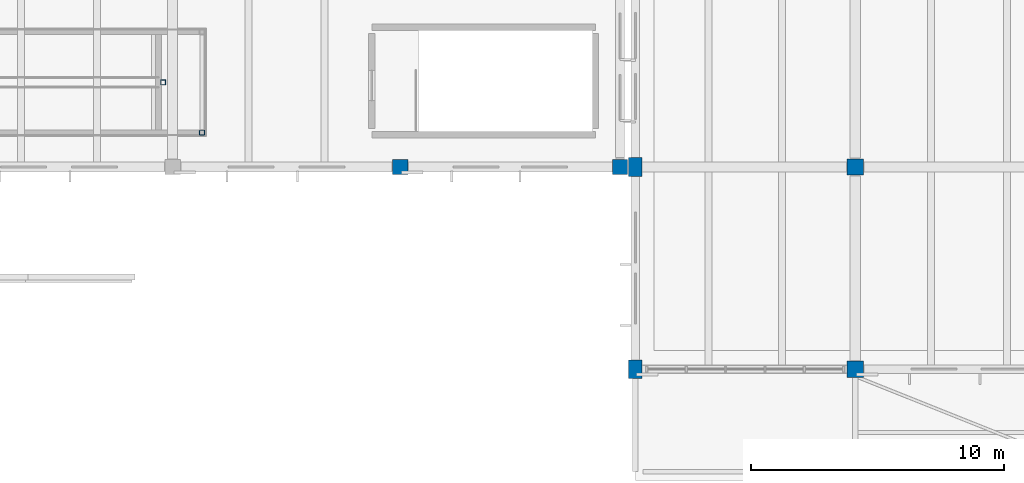
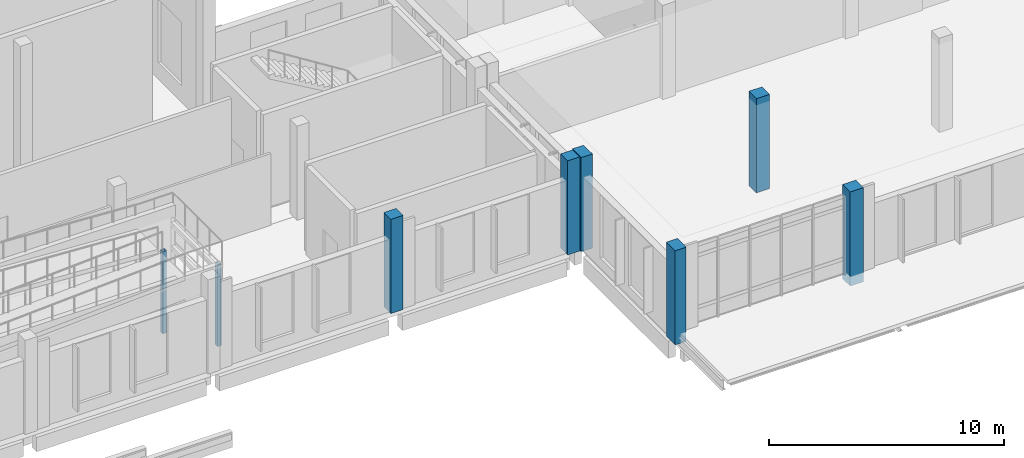
# One storey, part 4 of 110: 8 columns.
"""IFC4 building model written with IfcOpenShell, lengths in metres."""

from ifc_helpers import new_model, si_unit, direction, frame, origin, origin_2d, place, context, subcontext, project, spatial, rectangle, hollow_rectangle, extrude, material, material_profile, profile_set, type_object, element, save


model = new_model("IFC4")

# Units and contexts
model_context = context("Model", 3, precision=1e-05, world=origin(), true_north=direction((0.0, 1.0)))
body_context = subcontext(model_context, "Body", "Model", "MODEL_VIEW")
ifc_project = project(units=[si_unit("LENGTHUNIT", "METRE"), si_unit("AREAUNIT", "SQUARE_METRE"), si_unit("VOLUMEUNIT", "CUBIC_METRE"), si_unit("PLANEANGLEUNIT", "RADIAN"), si_unit("MASSUNIT", "GRAM", prefix="KILO")], contexts=[model_context])

# Site, building, storey
site_placement = place(None, origin())
site = spatial("IfcSite", under=ifc_project, at=site_placement, CompositionType="ELEMENT")
building_placement = place(site_placement, origin())
building = spatial("IfcBuilding", under=site, at=building_placement, Name="Zacnel Wholesale Market", CompositionType="ELEMENT")
storey_placement = place(building_placement, frame((0.0, 0.0, 6.300048828125)))
storey = spatial("IfcBuildingStorey", under=building, at=storey_placement, Name="L02", CompositionType="ELEMENT", Elevation=6.300048828125)

# Columns
ifc_material_1 = material(Name="Precast concrete C45/55", Category="concrete")
ifc_material_profile_1 = material_profile(ifc_material_1, rectangle(XDim=0.550048828125, YDim=0.75, at=origin_2d()), Name="PC 550x750")
ifc_profile_set_1 = profile_set([ifc_material_profile_1], Name="Precast concrete C45/55")
column_type_1 = type_object("IfcColumnType", Name="COL-MJ550X750", PredefinedType="COLUMN", material=ifc_profile_set_1)
for number, where, z_axis, x_axis, name in (
    (1, (144.300048828125, 0.0, 0.0), (0.0, 0.0, 1.0), (1.0, 0.0, 0.0), "Precast column L02-0530"),
    (2, (144.300048828125, 8.0, 0.0), (0.0, 0.0, 1.0), (1.0, 0.0, 0.0), "Precast column L02-0531"),
):
    element("IfcColumn", number, at=place(storey_placement, frame(where, z_axis=z_axis, x_axis=x_axis)), inside=storey, type_object=column_type_1, Name=name, PredefinedType="COLUMN", context=body_context, shape_type="SweptSolid", body=[
        extrude(rectangle(XDim=0.550048828125, YDim=0.75, at=origin_2d()), origin(), (0.0, 0.0, 1.0), 4.89990234375),
    ])
ifc_material_2 = material(Name="Precast concrete C45/55", Category="concrete")
ifc_material_profile_2 = material_profile(ifc_material_2, rectangle(XDim=0.60009765625, YDim=0.60009765625, at=origin_2d()), Name="PC 600x600")
ifc_profile_set_2 = profile_set([ifc_material_profile_2], Name="Precast concrete C45/55")
column_type_2 = type_object("IfcColumnType", Name="COL-PC600", PredefinedType="COLUMN", material=ifc_profile_set_2)
for number, where, z_axis, x_axis, name in (
    (3, (135.0, 8.0, 0.0), (0.0, 0.0, 1.0), (1.0, 0.0, 0.0), "Precast wing column V4EL2S-006"),
    (4, (143.699951171875, 8.0, 0.0), (0.0, 0.0, 1.0), (1.0, 0.0, 0.0), "Precast wing column V4EL2S-007"),
):
    element("IfcColumn", number, at=place(storey_placement, frame(where, z_axis=z_axis, x_axis=x_axis)), inside=storey, type_object=column_type_2, Name=name, PredefinedType="COLUMN", context=body_context, shape_type="SweptSolid", body=[
        extrude(rectangle(XDim=0.60009765625, YDim=0.60009765625, at=origin_2d()), origin(), (0.0, 0.0, 1.0), 4.89990234375),
    ])
ifc_material_3 = material(Name="Precast concrete C45/55", Category="concrete")
ifc_material_profile_3 = material_profile(ifc_material_3, rectangle(XDim=0.64990234375, YDim=0.64990234375, at=origin_2d()), Name="PC 650x650")
ifc_profile_set_3 = profile_set([ifc_material_profile_3], Name="Precast concrete C45/55")
column_type_3 = type_object("IfcColumnType", Name="COL-PC650", PredefinedType="COLUMN", material=ifc_profile_set_3)
for number, where, z_axis, x_axis, name in (
    (5, (153.0, 0.0, 0.0), (0.0, 0.0, 1.0), (1.0, 0.0, 0.0), "Precast column L02-0546"),
    (6, (153.0, 8.0, 0.0), (0.0, 0.0, 1.0), (1.0, 0.0, 0.0), "Precast column L02-0547"),
):
    element("IfcColumn", number, at=place(storey_placement, frame(where, z_axis=z_axis, x_axis=x_axis)), inside=storey, type_object=column_type_3, Name=name, PredefinedType="COLUMN", context=body_context, shape_type="SweptSolid", body=[
        extrude(rectangle(XDim=0.64990234375, YDim=0.64990234375, at=origin_2d()), origin(), (0.0, 0.0, 1.0), 4.89990234375),
    ])
ifc_material_4 = material(Name="Steel S355", Category="steel")
ifc_material_profile_4 = material_profile(ifc_material_4, hollow_rectangle(XDim=0.199951171875, YDim=0.199951171875, WallThickness=0.010009765625, InnerFilletRadius=0.010009765625, OuterFilletRadius=0.02001953125, at=origin_2d()), Name="HSS 200x200x10")
ifc_profile_set_4 = profile_set([ifc_material_profile_4], Name="Steel S355")
column_type_4 = type_object("IfcColumnType", Name="COL-STL-HSS200", PredefinedType="COLUMN", material=ifc_profile_set_4)
for number, where, z_axis, x_axis, name in (
    (7, (127.160888671875, 9.360107421875, 0.0), (0.0, 0.0, 1.0), (1.0, 0.0, 0.0), "Accessible ramp RP-04 (RMP-PROM-2) support column 4"),
    (8, (125.62109375, 11.35009765625, 0.0), (0.0, 0.0, 1.0), (1.0, 0.0, 0.0), "Accessible ramp RP-04 (RMP-PROM-2) support column 5"),
):
    element("IfcColumn", number, at=place(storey_placement, frame(where, z_axis=z_axis, x_axis=x_axis)), inside=storey, type_object=column_type_4, Name=name, PredefinedType="COLUMN", context=body_context, shape_type="SweptSolid", body=[
        extrude(hollow_rectangle(XDim=0.199951171875, YDim=0.199951171875, WallThickness=0.010009765625, InnerFilletRadius=0.010009765625, OuterFilletRadius=0.02001953125, at=origin_2d()), origin(), (0.0, 0.0, 1.0), 4.267333984375),
    ])

save(model, "model.ifc")
